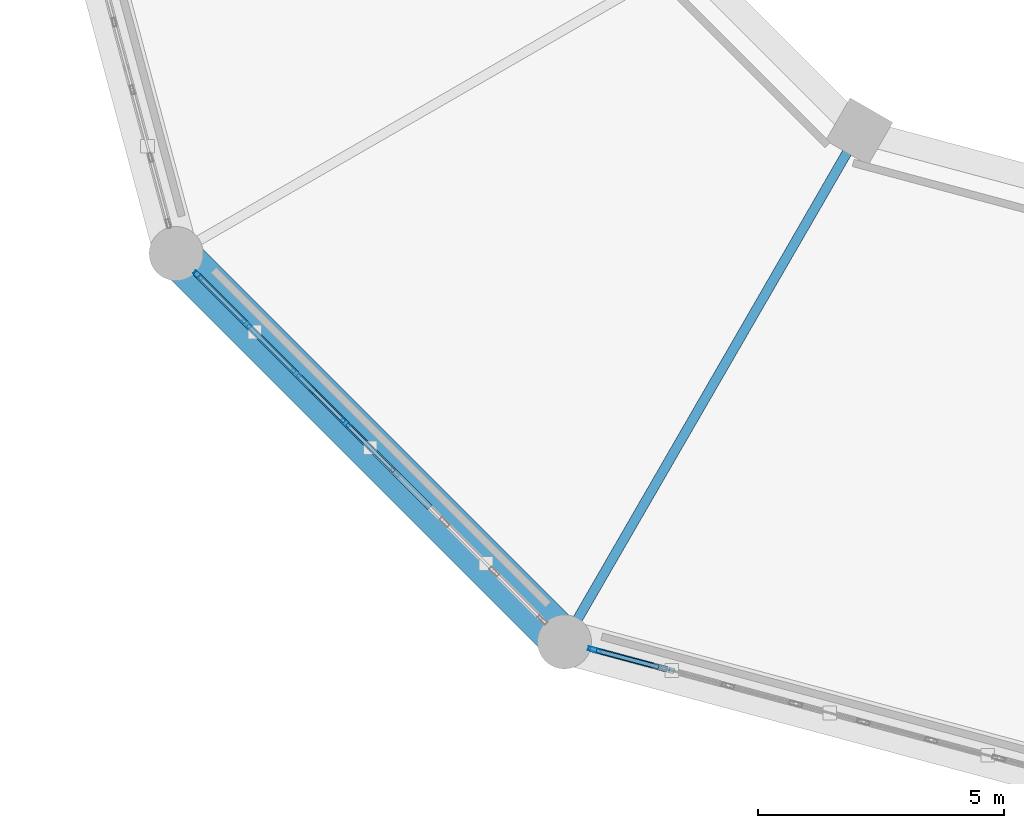
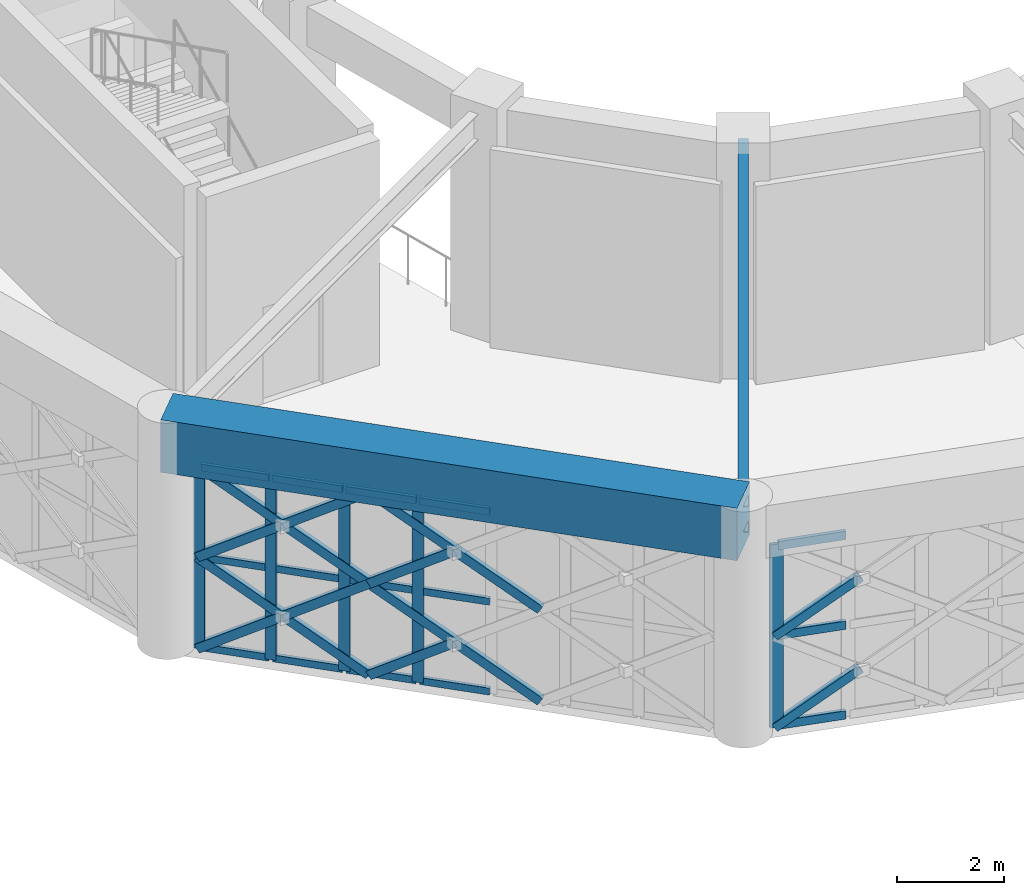
# One storey, part 21 of 72: 32 members, 2 beams, 2 elements without a shape of their own.
"""IFC4 building model written with IfcOpenShell, lengths in metres."""

from ifc_helpers import new_model, si_unit, direction, frame, origin, origin_2d, place, context, subcontext, project, spatial, rectangle, hollow_rectangle, i_section, extrude, material, material_profile, profile_set, type_object, element, aggregate, save


model = new_model("IFC4")

# Units and contexts
model_context = context("Model", 3, precision=1e-05, world=origin(), true_north=direction((0.0, 1.0)))
body_context = subcontext(model_context, "Body", "Model", "MODEL_VIEW")
ifc_project = project(units=[si_unit("LENGTHUNIT", "METRE"), si_unit("AREAUNIT", "SQUARE_METRE"), si_unit("VOLUMEUNIT", "CUBIC_METRE"), si_unit("PLANEANGLEUNIT", "RADIAN"), si_unit("MASSUNIT", "GRAM", prefix="KILO")], contexts=[model_context])

# Site, building, storey
site_placement = place(None, origin())
site = spatial("IfcSite", under=ifc_project, at=site_placement, CompositionType="ELEMENT")
building_placement = place(site_placement, origin())
building = spatial("IfcBuilding", under=site, at=building_placement, Name="Haizhuo Lancet Aquarium", CompositionType="ELEMENT")
storey_placement = place(building_placement, frame((0.0, 0.0, 21.60009765625)))
storey = spatial("IfcBuildingStorey", under=building, at=storey_placement, Name="L04", CompositionType="ELEMENT", Elevation=21.60009765625)

# Beams
ifc_material_1 = material(Name="Concrete C50/60", Category="concrete")
ifc_material_profile_1 = material_profile(ifc_material_1, rectangle(XDim=0.89990234375, YDim=1.199951171875, at=origin_2d()), Name="RC-RB 900x1200")
ifc_profile_set_1 = profile_set([ifc_material_profile_1], Name="Concrete C50/60")
beam_type_1 = type_object("IfcBeamType", Name="BM-RB-900x1200", PredefinedType="USERDEFINED", material=ifc_profile_set_1)
beam_1_placement = place(storey_placement, frame((-18.7060546875, -10.800048828125, 4.7998046875), z_axis=(0.707106781187, -0.707106781187, 0.0), x_axis=(0.707106781187, 0.707106781187, 0.0)))
element("IfcBeam", 1, at=beam_1_placement, inside=storey, type_object=beam_type_1, Name="Ocean Hall dome tension ring beam RB-1 seg 8", ObjectType="RING BEAM", PredefinedType="USERDEFINED", context=body_context, shape_type="SweptSolid", body=[
    extrude(rectangle(XDim=0.89990234375, YDim=1.199951171875, at=origin_2d()), origin(), (0.0, 0.0, 1.0), 11.1806640625),
])
ifc_material_2 = material(Name="Steel S355", Category="steel")
ifc_material_profile_2 = material_profile(ifc_material_2, i_section(OverallWidth=0.199951171875, OverallDepth=0.60009765625, WebThickness=0.010986328125, FlangeThickness=0.01708984375, FilletRadius=0.02197265625, at=origin_2d()), Name="HN 600x200x11x17")
ifc_profile_set_2 = profile_set([ifc_material_profile_2], Name="Steel S355")
beam_type_2 = type_object("IfcBeamType", Name="BM-ST-HN600", PredefinedType="BEAM", material=ifc_profile_set_2)
beam_2_placement = place(storey_placement, frame((-4.800048828125, -8.31396484375, 4.849853515625), z_axis=(-0.500007758305, -0.866020924479, 0.0), x_axis=(0.866020924479, -0.500007758305, 0.0)))
element("IfcBeam", 2, at=beam_2_placement, inside=storey, type_object=beam_type_2, Name="L04 radial gallery girder 9", PredefinedType="BEAM", context=body_context, shape_type="SweptSolid", body=[
    extrude(i_section(OverallWidth=0.199951171875, OverallDepth=0.60009765625, WebThickness=0.010986328125, FlangeThickness=0.01708984375, FilletRadius=0.02197265625, at=origin_2d()), origin(), (0.0, 0.0, 1.0), 11.999755859375),
])

# Curtain wall, members
ifc_material_3 = material(Name="Aluminium 6063-T6", Category="aluminium")
curtain_wall_type = type_object("IfcCurtainWallType", Name="CWO-9990x4180", PredefinedType="NOTDEFINED", material=ifc_material_3)
curtain_wall_1_placement = place(storey_placement, origin())
curtain_wall_1 = element("IfcCurtainWall", 3, at=curtain_wall_1_placement, inside=storey, type_object=curtain_wall_type, Name="L04 curtain wall CW-V1-L04-08", PredefinedType="NOTDEFINED")
ifc_material_profile_3 = material_profile(ifc_material_3, hollow_rectangle(XDim=0.074951171875, YDim=0.219970703125, WallThickness=0.0048828125, at=origin_2d()), Name="ALU-M 75x220x5")
ifc_profile_set_3 = profile_set([ifc_material_profile_3], Name="Aluminium 6063-T6")
member_type_1 = type_object("IfcMemberType", Name="CW-MUL-2", PredefinedType="MULLION", material=ifc_profile_set_3)
member_1_placement = place(storey_placement, frame((-15.258056640625, -14.248046875, 0.0), z_axis=(0.0, 0.0, 1.0), x_axis=(-0.707106781187, -0.707106781187, 0.0)))
member_1 = element("IfcMember", 4, at=member_1_placement, type_object=member_type_1, Name="CWO-99x41 mullion 5", PredefinedType="MULLION", context=body_context, shape_type="SweptSolid", body=[
    extrude(hollow_rectangle(XDim=0.074951171875, YDim=0.219970703125, WallThickness=0.0048828125, at=origin_2d()), origin(), (0.0, 0.0, 1.0), 4.184814453125),
])
member_2_placement = place(storey_placement, frame((-16.26708984375, -13.239013671875, 0.0), z_axis=(0.0, 0.0, 1.0), x_axis=(-0.707106781187, -0.707106781187, 0.0)))
member_2 = element("IfcMember", 5, at=member_2_placement, type_object=member_type_1, Name="CWO-99x41 mullion 6", PredefinedType="MULLION", context=body_context, shape_type="SweptSolid", body=[
    extrude(hollow_rectangle(XDim=0.074951171875, YDim=0.219970703125, WallThickness=0.0048828125, at=origin_2d()), origin(), (0.0, 0.0, 1.0), 4.184814453125),
])
member_3_placement = place(storey_placement, frame((-17.27587890625, -12.22998046875, 0.0), z_axis=(0.0, 0.0, 1.0), x_axis=(-0.707106781187, -0.707106781187, 0.0)))
member_3 = element("IfcMember", 6, at=member_3_placement, type_object=member_type_1, Name="CWO-99x41 mullion 7", PredefinedType="MULLION", context=body_context, shape_type="SweptSolid", body=[
    extrude(hollow_rectangle(XDim=0.074951171875, YDim=0.219970703125, WallThickness=0.0048828125, at=origin_2d()), origin(), (0.0, 0.0, 1.0), 4.184814453125),
])
member_4_placement = place(storey_placement, frame((-18.258056640625, -11.248046875, 0.0), z_axis=(0.0, 0.0, 1.0), x_axis=(-0.707106781187, -0.707106781187, 0.0)))
member_4 = element("IfcMember", 7, at=member_4_placement, type_object=member_type_1, Name="CWO-99x41 mullion 8", PredefinedType="MULLION", context=body_context, shape_type="SweptSolid", body=[
    extrude(hollow_rectangle(XDim=0.074951171875, YDim=0.219970703125, WallThickness=0.0048828125, at=origin_2d()), origin(), (0.0, 0.0, 1.0), 4.184814453125),
])

# Curtain wall, member
curtain_wall_2_placement = place(storey_placement, origin())
curtain_wall_2 = element("IfcCurtainWall", 8, at=curtain_wall_2_placement, inside=storey, type_object=curtain_wall_type, Name="L04 curtain wall CW-V1-L04-09", PredefinedType="NOTDEFINED")
ifc_material_profile_4 = material_profile(ifc_material_3, hollow_rectangle(XDim=0.080078125, YDim=0.260009765625, WallThickness=0.0048828125, at=origin_2d()), Name="ALU-M 80x260x5")
ifc_profile_set_4 = profile_set([ifc_material_profile_4], Name="Aluminium 6063-T6")
member_type_2 = type_object("IfcMemberType", Name="CW-MUL-3", PredefinedType="MULLION", material=ifc_profile_set_4)
member_5_placement = place(storey_placement, frame((-10.18603515625, -18.8701171875, 0.0), z_axis=(0.0, 0.0, 1.0), x_axis=(-0.258852762117, -0.965916791212, 0.0)))
member_5 = element("IfcMember", 9, at=member_5_placement, type_object=member_type_2, Name="CWO-99x41 mullion 8", PredefinedType="MULLION", context=body_context, shape_type="SweptSolid", body=[
    extrude(hollow_rectangle(XDim=0.080078125, YDim=0.260009765625, WallThickness=0.0048828125, at=origin_2d()), origin(), (0.0, 0.0, 1.0), 4.184814453125),
])

# Member
ifc_material_profile_5 = material_profile(ifc_material_3, hollow_rectangle(XDim=0.074951171875, YDim=0.159912109375, WallThickness=0.00390625, at=origin_2d()), Name="ALU-T 75x160x4")
ifc_profile_set_5 = profile_set([ifc_material_profile_5], Name="Aluminium 6063-T6")
member_type_3 = type_object("IfcMemberType", Name="CW-TRN-2", PredefinedType="NOTDEFINED", material=ifc_profile_set_5)
member_6_placement = place(storey_placement, frame((-14.27490234375, -15.23095703125, 0.037841796875), z_axis=(-0.707106781187, 0.707106781187, 0.0), x_axis=(-0.707106781187, -0.707106781187, 0.0)))
member_6 = element("IfcMember", 10, at=member_6_placement, type_object=member_type_3, Name="CWO-99x41 transom 4.1", ObjectType="TRANSOM", PredefinedType="USERDEFINED", context=body_context, shape_type="SweptSolid", body=[
    extrude(hollow_rectangle(XDim=0.074951171875, YDim=0.159912109375, WallThickness=0.00390625, at=origin_2d()), origin(), (0.0, 0.0, 1.0), 1.35205078125),
])

member_7_placement = place(storey_placement, frame((-14.27490234375, -15.23095703125, 2.093017578125), z_axis=(-0.707106781187, 0.707106781187, 0.0), x_axis=(-0.707106781187, -0.707106781187, 0.0)))
member_7 = element("IfcMember", 11, at=member_7_placement, type_object=member_type_3, Name="CWO-99x41 transom 4.2", ObjectType="TRANSOM", PredefinedType="USERDEFINED", context=body_context, shape_type="SweptSolid", body=[
    extrude(hollow_rectangle(XDim=0.074951171875, YDim=0.159912109375, WallThickness=0.00390625, at=origin_2d()), origin(), (0.0, 0.0, 1.0), 1.35205078125),
])

member_8_placement = place(storey_placement, frame((-14.27490234375, -15.23095703125, 4.14697265625), z_axis=(-0.707106781187, 0.707106781187, 0.0), x_axis=(-0.707106781187, -0.707106781187, 0.0)))
member_8 = element("IfcMember", 12, at=member_8_placement, type_object=member_type_3, Name="CWO-99x41 transom 4.3", ObjectType="TRANSOM", PredefinedType="USERDEFINED", context=body_context, shape_type="SweptSolid", body=[
    extrude(hollow_rectangle(XDim=0.074951171875, YDim=0.159912109375, WallThickness=0.00390625, at=origin_2d()), origin(), (0.0, 0.0, 1.0), 1.35205078125),
])

member_9_placement = place(storey_placement, frame((-15.283935546875, -14.221923828125, 0.037841796875), z_axis=(-0.707197071268, 0.707016479575, 0.0), x_axis=(-0.707016479575, -0.707197071268, 0.0)))
member_9 = element("IfcMember", 13, at=member_9_placement, type_object=member_type_3, Name="CWO-99x41 transom 5.1", ObjectType="TRANSOM", PredefinedType="USERDEFINED", context=body_context, shape_type="SweptSolid", body=[
    extrude(hollow_rectangle(XDim=0.074951171875, YDim=0.159912109375, WallThickness=0.00390625, at=origin_2d()), origin(), (0.0, 0.0, 1.0), 1.351806640625),
])

member_10_placement = place(storey_placement, frame((-15.283935546875, -14.221923828125, 2.093017578125), z_axis=(-0.707197071268, 0.707016479575, 0.0), x_axis=(-0.707016479575, -0.707197071268, 0.0)))
member_10 = element("IfcMember", 14, at=member_10_placement, type_object=member_type_3, Name="CWO-99x41 transom 5.2", ObjectType="TRANSOM", PredefinedType="USERDEFINED", context=body_context, shape_type="SweptSolid", body=[
    extrude(hollow_rectangle(XDim=0.074951171875, YDim=0.159912109375, WallThickness=0.00390625, at=origin_2d()), origin(), (0.0, 0.0, 1.0), 1.351806640625),
])

member_11_placement = place(storey_placement, frame((-15.283935546875, -14.221923828125, 4.14697265625), z_axis=(-0.707197071268, 0.707016479575, 0.0), x_axis=(-0.707016479575, -0.707197071268, 0.0)))
member_11 = element("IfcMember", 15, at=member_11_placement, type_object=member_type_3, Name="CWO-99x41 transom 5.3", ObjectType="TRANSOM", PredefinedType="USERDEFINED", context=body_context, shape_type="SweptSolid", body=[
    extrude(hollow_rectangle(XDim=0.074951171875, YDim=0.159912109375, WallThickness=0.00390625, at=origin_2d()), origin(), (0.0, 0.0, 1.0), 1.351806640625),
])

member_12_placement = place(storey_placement, frame((-16.29296875, -13.212890625, 0.037841796875), z_axis=(-0.707197071268, 0.707016479575, 0.0), x_axis=(-0.707016479575, -0.707197071268, 0.0)))
member_12 = element("IfcMember", 16, at=member_12_placement, type_object=member_type_3, Name="CWO-99x41 transom 6.1", ObjectType="TRANSOM", PredefinedType="USERDEFINED", context=body_context, shape_type="SweptSolid", body=[
    extrude(hollow_rectangle(XDim=0.074951171875, YDim=0.159912109375, WallThickness=0.00390625, at=origin_2d()), origin(), (0.0, 0.0, 1.0), 1.351806640625),
])

member_13_placement = place(storey_placement, frame((-16.29296875, -13.212890625, 2.093017578125), z_axis=(-0.707197071268, 0.707016479575, 0.0), x_axis=(-0.707016479575, -0.707197071268, 0.0)))
member_13 = element("IfcMember", 17, at=member_13_placement, type_object=member_type_3, Name="CWO-99x41 transom 6.2", ObjectType="TRANSOM", PredefinedType="USERDEFINED", context=body_context, shape_type="SweptSolid", body=[
    extrude(hollow_rectangle(XDim=0.074951171875, YDim=0.159912109375, WallThickness=0.00390625, at=origin_2d()), origin(), (0.0, 0.0, 1.0), 1.351806640625),
])

member_14_placement = place(storey_placement, frame((-16.29296875, -13.212890625, 4.14697265625), z_axis=(-0.707197071268, 0.707016479575, 0.0), x_axis=(-0.707016479575, -0.707197071268, 0.0)))
member_14 = element("IfcMember", 18, at=member_14_placement, type_object=member_type_3, Name="CWO-99x41 transom 6.3", ObjectType="TRANSOM", PredefinedType="USERDEFINED", context=body_context, shape_type="SweptSolid", body=[
    extrude(hollow_rectangle(XDim=0.074951171875, YDim=0.159912109375, WallThickness=0.00390625, at=origin_2d()), origin(), (0.0, 0.0, 1.0), 1.351806640625),
])

member_15_placement = place(storey_placement, frame((-17.302001953125, -12.2041015625, 0.037841796875), z_axis=(-0.707013966752, 0.70719958344, 0.0), x_axis=(-0.70719958344, -0.707013966752, 0.0)))
member_15 = element("IfcMember", 19, at=member_15_placement, type_object=member_type_3, Name="CWO-99x41 transom 7.1", ObjectType="TRANSOM", PredefinedType="USERDEFINED", context=body_context, shape_type="SweptSolid", body=[
    extrude(hollow_rectangle(XDim=0.074951171875, YDim=0.159912109375, WallThickness=0.00390625, at=origin_2d()), origin(), (0.0, 0.0, 1.0), 1.315185546875),
])

member_16_placement = place(storey_placement, frame((-17.302001953125, -12.2041015625, 2.093017578125), z_axis=(-0.707013966752, 0.70719958344, 0.0), x_axis=(-0.70719958344, -0.707013966752, 0.0)))
member_16 = element("IfcMember", 20, at=member_16_placement, type_object=member_type_3, Name="CWO-99x41 transom 7.2", ObjectType="TRANSOM", PredefinedType="USERDEFINED", context=body_context, shape_type="SweptSolid", body=[
    extrude(hollow_rectangle(XDim=0.074951171875, YDim=0.159912109375, WallThickness=0.00390625, at=origin_2d()), origin(), (0.0, 0.0, 1.0), 1.315185546875),
])

member_17_placement = place(storey_placement, frame((-17.302001953125, -12.2041015625, 4.14697265625), z_axis=(-0.707013966752, 0.70719958344, 0.0), x_axis=(-0.70719958344, -0.707013966752, 0.0)))
member_17 = element("IfcMember", 21, at=member_17_placement, type_object=member_type_3, Name="CWO-99x41 transom 7.3", ObjectType="TRANSOM", PredefinedType="USERDEFINED", context=body_context, shape_type="SweptSolid", body=[
    extrude(hollow_rectangle(XDim=0.074951171875, YDim=0.159912109375, WallThickness=0.00390625, at=origin_2d()), origin(), (0.0, 0.0, 1.0), 1.315185546875),
])

aggregate(curtain_wall_1, [member_1, member_2, member_3, member_4, member_6, member_7, member_8, member_9, member_10, member_11, member_12, member_13, member_14, member_15, member_16, member_17])

ifc_material_profile_6 = material_profile(ifc_material_3, hollow_rectangle(XDim=0.080078125, YDim=0.18994140625, WallThickness=0.0048828125, at=origin_2d()), Name="ALU-T 80x190x5")
ifc_profile_set_6 = profile_set([ifc_material_profile_6], Name="Aluminium 6063-T6")
member_type_4 = type_object("IfcMemberType", Name="CW-TRN-3", PredefinedType="NOTDEFINED", material=ifc_profile_set_6)
member_18_placement = place(storey_placement, frame((-8.885009765625, -19.218994140625, 0.039794921875), z_axis=(-0.966023851958, 0.258452930816, 0.0), x_axis=(-0.258452930816, -0.966023851958, 0.0)))
member_18 = element("IfcMember", 22, at=member_18_placement, type_object=member_type_4, Name="CWO-99x41 transom 7.1", ObjectType="TRANSOM", PredefinedType="USERDEFINED", context=body_context, shape_type="SweptSolid", body=[
    extrude(hollow_rectangle(XDim=0.080078125, YDim=0.18994140625, WallThickness=0.0048828125, at=origin_2d()), origin(), (0.0, 0.0, 1.0), 1.307373046875),
])

member_19_placement = place(storey_placement, frame((-8.885009765625, -19.218994140625, 2.093017578125), z_axis=(-0.966023851958, 0.258452930816, 0.0), x_axis=(-0.258452930816, -0.966023851958, 0.0)))
member_19 = element("IfcMember", 23, at=member_19_placement, type_object=member_type_4, Name="CWO-99x41 transom 7.2", ObjectType="TRANSOM", PredefinedType="USERDEFINED", context=body_context, shape_type="SweptSolid", body=[
    extrude(hollow_rectangle(XDim=0.080078125, YDim=0.18994140625, WallThickness=0.0048828125, at=origin_2d()), origin(), (0.0, 0.0, 1.0), 1.307373046875),
])

member_20_placement = place(storey_placement, frame((-8.885009765625, -19.218994140625, 4.14501953125), z_axis=(-0.966023851958, 0.258452930816, 0.0), x_axis=(-0.258452930816, -0.966023851958, 0.0)))
member_20 = element("IfcMember", 24, at=member_20_placement, type_object=member_type_4, Name="CWO-99x41 transom 7.3", ObjectType="TRANSOM", PredefinedType="USERDEFINED", context=body_context, shape_type="SweptSolid", body=[
    extrude(hollow_rectangle(XDim=0.080078125, YDim=0.18994140625, WallThickness=0.0048828125, at=origin_2d()), origin(), (0.0, 0.0, 1.0), 1.307373046875),
])

aggregate(curtain_wall_2, [member_5, member_18, member_19, member_20])

# Members
ifc_material_profile_7 = material_profile(ifc_material_2, hollow_rectangle(XDim=0.1201171875, YDim=0.199951171875, WallThickness=0.008056640625, at=origin_2d()), Name="RHS 120x200x8")
ifc_profile_set_7 = profile_set([ifc_material_profile_7], Name="Steel S355")
member_type_5 = type_object("IfcMemberType", Name="MEM-LB-RHS120x200", PredefinedType="BRACE", material=ifc_profile_set_7)
member_21_placement = place(storey_placement, frame((-13.575927734375, -15.929931640625, 0.0), z_axis=(-0.598624938424, 0.598624938424, 0.532255921708), x_axis=(-0.707106781187, -0.707106781187, 0.0)))
element("IfcMember", 25, at=member_21_placement, inside=storey, type_object=member_type_5, Name="Gothic lancet continuous diagonal brace CW-V1-L04-08 3A", PredefinedType="BRACE", context=body_context, shape_type="SweptSolid", body=[
    extrude(hollow_rectangle(XDim=0.1201171875, YDim=0.199951171875, WallThickness=0.008056640625, at=origin_2d()), origin(), (0.0, 0.0, 1.0), 3.932373046875),
])
member_22_placement = place(storey_placement, frame((-15.929931640625, -13.575927734375, 0.0), z_axis=(0.598565591853, -0.598565591853, 0.532389391799), x_axis=(0.707106781187, 0.707106781187, 0.0)))
element("IfcMember", 26, at=member_22_placement, inside=storey, type_object=member_type_5, Name="Gothic lancet split diagonal brace CW-V1-L04-08 3B1", PredefinedType="BRACE", context=body_context, shape_type="SweptSolid", body=[
    extrude(hollow_rectangle(XDim=0.1201171875, YDim=0.199951171875, WallThickness=0.008056640625, at=origin_2d()), origin(), (0.0, 0.0, 1.0), 1.96630859375),
])
member_23_placement = place(storey_placement, frame((-13.575927734375, -15.929931640625, 2.093017578125), z_axis=(-0.598723842444, 0.598723842444, 0.53203338333), x_axis=(-0.707106781187, -0.707106781187, 0.0)))
element("IfcMember", 27, at=member_23_placement, inside=storey, type_object=member_type_5, Name="Gothic lancet continuous diagonal brace CW-V1-L04-08 4A", PredefinedType="BRACE", context=body_context, shape_type="SweptSolid", body=[
    extrude(hollow_rectangle(XDim=0.1201171875, YDim=0.199951171875, WallThickness=0.008056640625, at=origin_2d()), origin(), (0.0, 0.0, 1.0), 3.931640625),
])
member_24_placement = place(storey_placement, frame((-15.929931640625, -13.575927734375, 2.093017578125), z_axis=(0.598723842444, -0.598723842444, 0.53203338333), x_axis=(0.707106781187, 0.707106781187, 0.0)))
element("IfcMember", 28, at=member_24_placement, inside=storey, type_object=member_type_5, Name="Gothic lancet split diagonal brace CW-V1-L04-08 4B1", PredefinedType="BRACE", context=body_context, shape_type="SweptSolid", body=[
    extrude(hollow_rectangle(XDim=0.1201171875, YDim=0.199951171875, WallThickness=0.008056640625, at=origin_2d()), origin(), (0.0, 0.0, 1.0), 1.9658203125),
])
member_25_placement = place(storey_placement, frame((-15.929931640625, -13.575927734375, 0.0), z_axis=(-0.598695261039, 0.598695261039, 0.532097706084), x_axis=(-0.707106781187, -0.707106781187, 0.0)))
element("IfcMember", 29, at=member_25_placement, inside=storey, type_object=member_type_5, Name="Gothic lancet continuous diagonal brace CW-V1-L04-08 5A", PredefinedType="BRACE", context=body_context, shape_type="SweptSolid", body=[
    extrude(hollow_rectangle(XDim=0.1201171875, YDim=0.199951171875, WallThickness=0.008056640625, at=origin_2d()), origin(), (0.0, 0.0, 1.0), 3.93359375),
])
member_26_placement = place(storey_placement, frame((-18.284912109375, -11.220947265625, 0.0), z_axis=(0.598387663747, -0.598884148015, 0.532231135065), x_axis=(0.707399943164, 0.706813497615, 0.0)))
element("IfcMember", 30, at=member_26_placement, inside=storey, type_object=member_type_5, Name="Gothic lancet split diagonal brace CW-V1-L04-08 5B1", PredefinedType="BRACE", context=body_context, shape_type="SweptSolid", body=[
    extrude(hollow_rectangle(XDim=0.1201171875, YDim=0.199951171875, WallThickness=0.008056640625, at=origin_2d()), origin(), (0.0, 0.0, 1.0), 1.967041015625),
])
member_27_placement = place(storey_placement, frame((-17.10791015625, -12.39892578125, 1.046875), z_axis=(0.599002830596, -0.598506247939, 0.531964171835), x_axis=(0.706813497615, 0.707399943164, 0.0)))
element("IfcMember", 31, at=member_27_placement, inside=storey, type_object=member_type_5, Name="Gothic lancet split diagonal brace CW-V1-L04-08 5B2", PredefinedType="BRACE", context=body_context, shape_type="SweptSolid", body=[
    extrude(hollow_rectangle(XDim=0.1201171875, YDim=0.199951171875, WallThickness=0.008056640625, at=origin_2d()), origin(), (0.0, 0.0, 1.0), 1.966552734375),
])
member_28_placement = place(storey_placement, frame((-15.929931640625, -13.575927734375, 2.093017578125), z_axis=(-0.598794117865, 0.598794117865, 0.531875181616), x_axis=(-0.707106781187, -0.707106781187, 0.0)))
element("IfcMember", 32, at=member_28_placement, inside=storey, type_object=member_type_5, Name="Gothic lancet continuous diagonal brace CW-V1-L04-08 6A", PredefinedType="BRACE", context=body_context, shape_type="SweptSolid", body=[
    extrude(hollow_rectangle(XDim=0.1201171875, YDim=0.199951171875, WallThickness=0.008056640625, at=origin_2d()), origin(), (0.0, 0.0, 1.0), 3.932861328125),
])
for number, where, z_axis, x_axis, name in (
    (33, (-18.284912109375, -11.220947265625, 2.093017578125), (0.59854577322, -0.599042388672, 0.531875148823), (0.707399943164, 0.706813497615, 0.0), "Gothic lancet split diagonal brace CW-V1-L04-08 6B1"),
    (34, (-17.10791015625, -12.39892578125, 3.138916015625), (0.599042388672, -0.59854577322, 0.531875148823), (0.706813497615, 0.707399943164, 0.0), "Gothic lancet split diagonal brace CW-V1-L04-08 6B2"),
    (35, (-10.22509765625, -18.860107421875, 0.0), (0.81770434743, -0.219105537151, 0.532308523118), (0.25882159942, 0.965925141858, 0.0), "Gothic lancet split diagonal brace CW-V1-L04-09 5B1"),
):
    element("IfcMember", number, at=place(storey_placement, frame(where, z_axis=z_axis, x_axis=x_axis)), inside=storey, type_object=member_type_5, Name=name, PredefinedType="BRACE", context=body_context, shape_type="SweptSolid", body=[
        extrude(hollow_rectangle(XDim=0.1201171875, YDim=0.199951171875, WallThickness=0.008056640625, at=origin_2d()), origin(), (0.0, 0.0, 1.0), 1.966552734375),
    ])
member_29_placement = place(storey_placement, frame((-10.22509765625, -18.860107421875, 2.093017578125), z_axis=(0.817920468895, -0.219163447336, 0.531952525997), x_axis=(0.25882159942, 0.965925141858, 0.0)))
element("IfcMember", 36, at=member_29_placement, inside=storey, type_object=member_type_5, Name="Gothic lancet split diagonal brace CW-V1-L04-09 6B1", PredefinedType="BRACE", context=body_context, shape_type="SweptSolid", body=[
    extrude(hollow_rectangle(XDim=0.1201171875, YDim=0.199951171875, WallThickness=0.008056640625, at=origin_2d()), origin(), (0.0, 0.0, 1.0), 1.966064453125),
])

save(model, "model.ifc")
